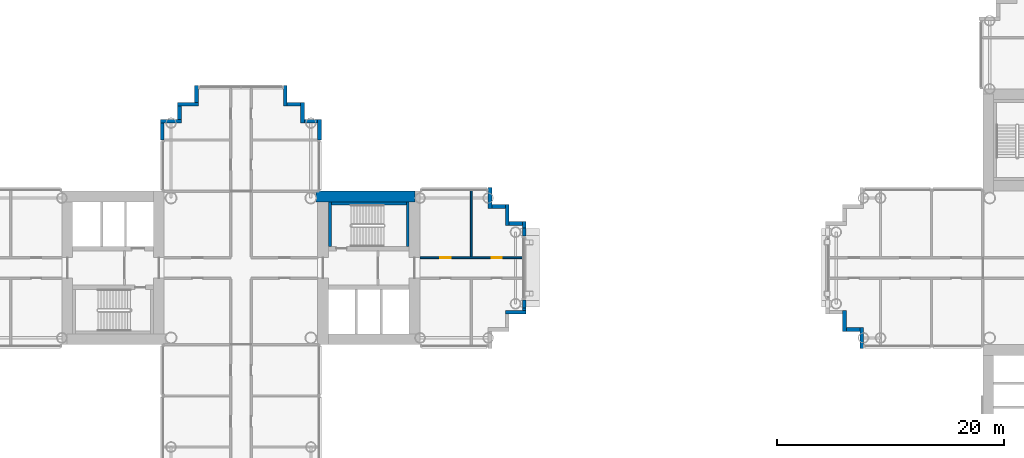
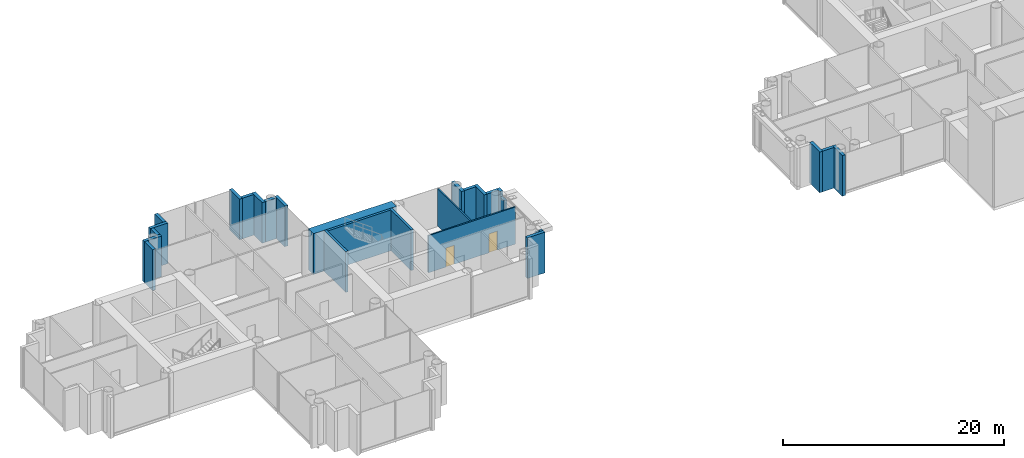
# One storey, part 12 of 20: 28 walls, 2 doors, 2 openings.
"""IFC4 building model written with IfcOpenShell, lengths in metres."""

from ifc_helpers import new_model, si_unit, direction, frame, frame_2d, origin, place, context, subcontext, project, spatial, rectangle, extrude, material, layer, layer_set, type_object, element, fill, save


model = new_model("IFC4")

# Units and contexts
model_context = context("Model", 3, precision=1e-05, world=origin(), true_north=direction((0.0, 1.0)))
body_context = subcontext(model_context, "Body", "Model", "MODEL_VIEW")
ifc_project = project(units=[si_unit("LENGTHUNIT", "METRE"), si_unit("AREAUNIT", "SQUARE_METRE"), si_unit("VOLUMEUNIT", "CUBIC_METRE"), si_unit("PLANEANGLEUNIT", "RADIAN"), si_unit("MASSUNIT", "GRAM", prefix="KILO")], contexts=[model_context])

# Site, building, storey
site_placement = place(None, origin())
site = spatial("IfcSite", under=ifc_project, at=site_placement, CompositionType="ELEMENT")
building_placement = place(site_placement, origin())
building = spatial("IfcBuilding", under=site, at=building_placement, Name="Ipe Terrace Towers", CompositionType="ELEMENT")
storey_placement = place(building_placement, frame((0.0, 0.0, 124.199951171875)))
storey = spatial("IfcBuildingStorey", under=building, at=storey_placement, Name="L34", CompositionType="ELEMENT", Elevation=124.199951171875)

# Walls
ifc_material_1 = material(Name="Concrete C40/50 with buff precast cladding", Category="concrete")
ifc_layer_1 = layer(ifc_material_1, 0.320068359375)
ifc_layer_set_1 = layer_set([ifc_layer_1], Name="BUFF CLADDING WALL 320")
wall_type_1 = type_object("IfcWallType", Name="BUFF CLADDING WALL 320", PredefinedType="STANDARD", material=ifc_layer_set_1)
wall_1_placement = place(storey_placement, frame((-12.75, -3.909912109375, -0.300048828125), z_axis=(0.0, 0.0, 1.0), x_axis=(1.0, 0.0, 0.0)))
element("IfcWall", 1, at=wall_1_placement, inside=storey, type_object=wall_type_1, Name="T1-W-L34-24a wall", PredefinedType="STANDARD", context=body_context, shape_type="SweptSolid", body=[
    extrude(rectangle(XDim=1.820068359375, YDim=0.320068359375, at=frame_2d((0.91015625, 0.0))), origin(), (0.0, 0.0, 1.0), 4.5),
])
wall_2_placement = place(storey_placement, frame((-11.090087890625, -3.75, 0.0), z_axis=(0.0, 0.0, 1.0), x_axis=(0.0, 1.0, 0.0)))
element("IfcWall", 2, at=wall_2_placement, inside=storey, type_object=wall_type_1, Name="T1-W-L34-25a wall", PredefinedType="STANDARD", context=body_context, shape_type="SweptSolid", body=[
    extrude(rectangle(XDim=0.25, YDim=0.320068359375, at=frame_2d((0.125, 0.0))), origin(), (0.0, 0.0, 1.0), 4.199951171875),
])
for number, where, z_axis, x_axis, name in (
    (3, (-11.090087890625, -3.5, 0.0), (0.0, 0.0, 1.0), (0.0, 1.0, 0.0), "T1-W-L34-25b wall"),
    (4, (-11.090087890625, 2.800048828125, 0.0), (0.0, 0.0, 1.0), (0.0, 1.0, 0.0), "T1-W-L34-25e wall"),
):
    element("IfcWall", number, at=place(storey_placement, frame(where, z_axis=z_axis, x_axis=x_axis)), inside=storey, type_object=wall_type_1, Name=name, PredefinedType="STANDARD", context=body_context, shape_type="SweptSolid", body=[
        extrude(rectangle(XDim=0.699951171875, YDim=0.320068359375, at=frame_2d((0.35009765625, 0.0))), origin(), (0.0, 0.0, 1.0), 3.610107421875),
    ])
wall_3_placement = place(storey_placement, frame((-11.090087890625, 3.5, 0.0), z_axis=(0.0, 0.0, 1.0), x_axis=(0.0, 1.0, 0.0)))
element("IfcWall", 5, at=wall_3_placement, inside=storey, type_object=wall_type_1, Name="T1-W-L34-25g wall", PredefinedType="STANDARD", context=body_context, shape_type="SweptSolid", body=[
    extrude(rectangle(XDim=0.570068359375, YDim=0.320068359375, at=frame_2d((0.28515625, 0.0))), origin(), (0.0, 0.0, 1.0), 4.199951171875),
])
wall_4_placement = place(storey_placement, frame((-11.25, 3.909912109375, -0.300048828125), z_axis=(0.0, 0.0, 1.0), x_axis=(-1.0, 0.0, 0.0)))
element("IfcWall", 6, at=wall_4_placement, inside=storey, type_object=wall_type_1, Name="T1-W-L34-26a wall", PredefinedType="STANDARD", context=body_context, shape_type="SweptSolid", body=[
    extrude(rectangle(XDim=1.179931640625, YDim=0.320068359375, at=frame_2d((0.58984375, 0.0))), origin(), (0.0, 0.0, 1.0), 4.5),
])
wall_5_placement = place(storey_placement, frame((-12.590087890625, 3.75, -0.300048828125), z_axis=(0.0, 0.0, 1.0), x_axis=(0.0, 1.0, 0.0)))
element("IfcWall", 7, at=wall_5_placement, inside=storey, type_object=wall_type_1, Name="T1-W-L34-27a wall", PredefinedType="STANDARD", context=body_context, shape_type="SweptSolid", body=[
    extrude(rectangle(XDim=1.820068359375, YDim=0.320068359375, at=frame_2d((0.91015625, 0.0))), origin(), (0.0, 0.0, 1.0), 4.5),
])
wall_6_placement = place(storey_placement, frame((-12.75, 5.409912109375, -0.300048828125), z_axis=(0.0, 0.0, 1.0), x_axis=(-1.0, 0.0, 0.0)))
element("IfcWall", 8, at=wall_6_placement, inside=storey, type_object=wall_type_1, Name="T1-W-L34-28a wall", PredefinedType="STANDARD", context=body_context, shape_type="SweptSolid", body=[
    extrude(rectangle(XDim=1.179931640625, YDim=0.320068359375, at=frame_2d((0.58984375, 0.0))), origin(), (0.0, 0.0, 1.0), 4.5),
])
for number, where, z_axis, x_axis, name in (
    (9, (-14.090087890625, 5.25, -0.300048828125), (0.0, 0.0, 1.0), (0.0, 1.0, 0.0), "T1-W-L34-29a wall"),
    (10, (-29.090087890625, 11.25, -0.300048828125), (0.0, 0.0, 1.0), (0.0, 1.0, 0.0), "T1-W-L34-33a wall"),
):
    element("IfcWall", number, at=place(storey_placement, frame(where, z_axis=z_axis, x_axis=x_axis)), inside=storey, type_object=wall_type_1, Name=name, PredefinedType="STANDARD", context=body_context, shape_type="SweptSolid", body=[
        extrude(rectangle(XDim=1.820068359375, YDim=0.320068359375, at=frame_2d((0.91015625, 0.0))), origin(), (0.0, 0.0, 1.0), 4.5),
    ])
wall_7_placement = place(storey_placement, frame((-29.25, 12.909912109375, -0.300048828125), z_axis=(0.0, 0.0, 1.0), x_axis=(-1.0, 0.0, 0.0)))
element("IfcWall", 11, at=wall_7_placement, inside=storey, type_object=wall_type_1, Name="T1-W-L34-34a wall", PredefinedType="STANDARD", context=body_context, shape_type="SweptSolid", body=[
    extrude(rectangle(XDim=1.179931640625, YDim=0.320068359375, at=frame_2d((0.58984375, 0.0))), origin(), (0.0, 0.0, 1.0), 4.5),
])
wall_8_placement = place(storey_placement, frame((-30.590087890625, 12.75, -0.300048828125), z_axis=(0.0, 0.0, 1.0), x_axis=(0.0, 1.0, 0.0)))
element("IfcWall", 12, at=wall_8_placement, inside=storey, type_object=wall_type_1, Name="T1-W-L34-35a wall", PredefinedType="STANDARD", context=body_context, shape_type="SweptSolid", body=[
    extrude(rectangle(XDim=1.820068359375, YDim=0.320068359375, at=frame_2d((0.91015625, 0.0))), origin(), (0.0, 0.0, 1.0), 4.5),
])
wall_9_placement = place(storey_placement, frame((-30.75, 14.409912109375, -0.300048828125), z_axis=(0.0, 0.0, 1.0), x_axis=(-1.0, 0.0, 0.0)))
element("IfcWall", 13, at=wall_9_placement, inside=storey, type_object=wall_type_1, Name="T1-W-L34-36a wall", PredefinedType="STANDARD", context=body_context, shape_type="SweptSolid", body=[
    extrude(rectangle(XDim=1.179931640625, YDim=0.320068359375, at=frame_2d((0.58984375, 0.0))), origin(), (0.0, 0.0, 1.0), 4.5),
])
wall_10_placement = place(storey_placement, frame((-32.090087890625, 14.25, -0.300048828125), z_axis=(0.0, 0.0, 1.0), x_axis=(0.0, 1.0, 0.0)))
element("IfcWall", 14, at=wall_10_placement, inside=storey, type_object=wall_type_1, Name="T1-W-L34-37a wall", PredefinedType="STANDARD", context=body_context, shape_type="SweptSolid", body=[
    extrude(rectangle(XDim=1.820068359375, YDim=0.320068359375, at=frame_2d((0.91015625, 0.0))), origin(), (0.0, 0.0, 1.0), 4.5),
])
wall_11_placement = place(storey_placement, frame((-39.909912109375, 16.070068359375, -0.300048828125), z_axis=(0.0, 0.0, 1.0), x_axis=(0.0, -1.0, 0.0)))
element("IfcWall", 15, at=wall_11_placement, inside=storey, type_object=wall_type_1, Name="T1-W-L34-39a wall", PredefinedType="STANDARD", context=body_context, shape_type="SweptSolid", body=[
    extrude(rectangle(XDim=1.5, YDim=0.320068359375, at=frame_2d((0.75, 0.0))), origin(), (0.0, 0.0, 1.0), 4.5),
])
wall_12_placement = place(storey_placement, frame((-39.75, 14.409912109375, -0.300048828125), z_axis=(0.0, 0.0, 1.0), x_axis=(-1.0, 0.0, 0.0)))
element("IfcWall", 16, at=wall_12_placement, inside=storey, type_object=wall_type_1, Name="T1-W-L34-40a wall", PredefinedType="STANDARD", context=body_context, shape_type="SweptSolid", body=[
    extrude(rectangle(XDim=1.820068359375, YDim=0.320068359375, at=frame_2d((0.91015625, 0.0))), origin(), (0.0, 0.0, 1.0), 4.5),
])
wall_13_placement = place(storey_placement, frame((-41.409912109375, 14.25, -0.300048828125), z_axis=(0.0, 0.0, 1.0), x_axis=(0.0, -1.0, 0.0)))
element("IfcWall", 17, at=wall_13_placement, inside=storey, type_object=wall_type_1, Name="T1-W-L34-41a wall", PredefinedType="STANDARD", context=body_context, shape_type="SweptSolid", body=[
    extrude(rectangle(XDim=1.179931640625, YDim=0.320068359375, at=frame_2d((0.58984375, 0.0))), origin(), (0.0, 0.0, 1.0), 4.5),
])
wall_14_placement = place(storey_placement, frame((-41.25, 12.909912109375, -0.300048828125), z_axis=(0.0, 0.0, 1.0), x_axis=(-1.0, 0.0, 0.0)))
element("IfcWall", 18, at=wall_14_placement, inside=storey, type_object=wall_type_1, Name="T1-W-L34-42a wall", PredefinedType="STANDARD", context=body_context, shape_type="SweptSolid", body=[
    extrude(rectangle(XDim=1.820068359375, YDim=0.320068359375, at=frame_2d((0.91015625, 0.0))), origin(), (0.0, 0.0, 1.0), 4.5),
])
wall_15_placement = place(storey_placement, frame((-42.909912109375, 12.75, -0.300048828125), z_axis=(0.0, 0.0, 1.0), x_axis=(0.0, -1.0, 0.0)))
element("IfcWall", 19, at=wall_15_placement, inside=storey, type_object=wall_type_1, Name="T1-W-L34-43a wall", PredefinedType="STANDARD", context=body_context, shape_type="SweptSolid", body=[
    extrude(rectangle(XDim=1.5, YDim=0.320068359375, at=frame_2d((0.75, 0.0))), origin(), (0.0, 0.0, 1.0), 4.5),
])
wall_16_placement = place(storey_placement, frame((17.090087890625, -3.75, -0.300048828125), z_axis=(0.0, 0.0, 1.0), x_axis=(0.0, -1.0, 0.0)))
element("IfcWall", 20, at=wall_16_placement, inside=storey, type_object=wall_type_1, Name="T2-W-L34-36a wall", PredefinedType="STANDARD", context=body_context, shape_type="SweptSolid", body=[
    extrude(rectangle(XDim=1.820068359375, YDim=0.320068359375, at=frame_2d((0.91015625, 0.0))), origin(), (0.0, 0.0, 1.0), 4.5),
])
wall_17_placement = place(storey_placement, frame((17.25, -5.409912109375, -0.300048828125), z_axis=(0.0, 0.0, 1.0), x_axis=(1.0, 0.0, 0.0)))
element("IfcWall", 21, at=wall_17_placement, inside=storey, type_object=wall_type_1, Name="T2-W-L34-37a wall", PredefinedType="STANDARD", context=body_context, shape_type="SweptSolid", body=[
    extrude(rectangle(XDim=1.179931640625, YDim=0.320068359375, at=frame_2d((0.58984375, 0.0))), origin(), (0.0, 0.0, 1.0), 4.5),
])
wall_18_placement = place(storey_placement, frame((18.590087890625, -5.25, -0.300048828125), z_axis=(0.0, 0.0, 1.0), x_axis=(0.0, -1.0, 0.0)))
element("IfcWall", 22, at=wall_18_placement, inside=storey, type_object=wall_type_1, Name="T2-W-L34-38a wall", PredefinedType="STANDARD", context=body_context, shape_type="SweptSolid", body=[
    extrude(rectangle(XDim=1.820068359375, YDim=0.320068359375, at=frame_2d((0.91015625, 0.0))), origin(), (0.0, 0.0, 1.0), 4.5),
])

# Wall, openings, doors
ifc_material_2 = material(Name="Gypsum board partition", Category="plasterboard")
ifc_layer_2 = layer(ifc_material_2, 0.14990234375)
ifc_layer_set_2 = layer_set([ifc_layer_2], Name="Gypsum board partition 150 mm")
wall_type_2 = type_object("IfcWallType", Name="Gypsum board partition 150 mm", PredefinedType="PARTITIONING", material=ifc_layer_set_2)
wall_19_placement = place(storey_placement, frame((-20.25, 0.89990234375, 0.0), z_axis=(0.0, 0.0, 1.0), x_axis=(1.0, 0.0, 0.0)))
wall_19 = element("IfcWall", 23, at=wall_19_placement, inside=storey, type_object=wall_type_2, Name="Gypsum board partition T1 L34 sp-Lp-wp", PredefinedType="PARTITIONING", context=body_context, shape_type="SweptSolid", body=[
    extrude(rectangle(XDim=9.10009765625, YDim=0.14990234375, at=frame_2d((4.550048828125, 0.0))), origin(), (0.0, 0.0, 1.0), 4.10009765625),
])
opening_1_placement = place(wall_19_placement, frame((1.800048828125, 0.0, 0.0)))
opening_1 = element("IfcOpeningElement", 24, at=opening_1_placement, cuts=wall_19, Name="Opening T1-SP-PLp1-FD60", PredefinedType="OPENING", context=body_context, shape_type="SweptSolid", body=[
    extrude(rectangle(XDim=0.89990234375, YDim=2.10009765625, at=frame_2d((0.449951171875, 1.050048828125))), frame((0.0, 0.0849609375, 0.0), z_axis=(0.0, -1.0, 0.0), x_axis=(1.0, 0.0, 0.0)), (0.0, 0.0, 1.0), 0.169921875),
])
opening_2_placement = place(wall_19_placement, frame((6.300048828125, 0.0, 0.0)))
opening_2 = element("IfcOpeningElement", 25, at=opening_2_placement, cuts=wall_19, Name="Opening T1-SP-PLp2-FD60", PredefinedType="OPENING", context=body_context, shape_type="SweptSolid", body=[
    extrude(rectangle(XDim=0.89990234375, YDim=2.10009765625, at=frame_2d((0.449951171875, 1.050048828125))), frame((0.0, 0.0849609375, 0.0), z_axis=(0.0, -1.0, 0.0), x_axis=(1.0, 0.0, 0.0)), (0.0, 0.0, 1.0), 0.169921875),
])
ifc_material_3 = material(Name="Fire-rated timber door leaf", Category="wood")
door_type = type_object("IfcDoorType", Name="Service door 900 x 2100 FD60", OperationType="NOTDEFINED", PredefinedType="DOOR", material=ifc_material_3)
door_1_placement = place(opening_1_placement, origin())
door_1 = element("IfcDoor", 26, at=door_1_placement, inside=storey, type_object=door_type, Name="Service door T1-SP-PLp1-FD60", OperationType="SINGLE_SWING_RIGHT", OverallHeight=2.10009765625, OverallWidth=0.89990234375, PredefinedType="DOOR", context=body_context, shape_type="SweptSolid", body=[
    extrude(rectangle(XDim=0.89990234375, YDim=2.10009765625, at=frame_2d((0.449951171875, 1.050048828125))), frame((0.0, 0.02490234375, 0.0), z_axis=(0.0, -1.0, 0.0), x_axis=(1.0, 0.0, 0.0)), (0.0, 0.0, 1.0), 0.050048828125),
])
fill(opening_1, door_1)
door_2_placement = place(opening_2_placement, origin())
door_2 = element("IfcDoor", 27, at=door_2_placement, inside=storey, type_object=door_type, Name="Service door T1-SP-PLp2-FD60", OperationType="SINGLE_SWING_LEFT", OverallHeight=2.10009765625, OverallWidth=0.89990234375, PredefinedType="DOOR", context=body_context, shape_type="SweptSolid", body=[
    extrude(rectangle(XDim=0.89990234375, YDim=2.10009765625, at=frame_2d((0.449951171875, 1.050048828125))), frame((0.0, 0.02490234375, 0.0), z_axis=(0.0, -1.0, 0.0), x_axis=(1.0, 0.0, 0.0)), (0.0, 0.0, 1.0), 0.050048828125),
])
fill(opening_2, door_2)

# Walls
wall_20_placement = place(storey_placement, frame((-15.75, 0.97509765625, 0.0), z_axis=(0.0, 0.0, 1.0), x_axis=(0.0, 1.0, 0.0)))
element("IfcWall", 28, at=wall_20_placement, inside=storey, type_object=wall_type_2, Name="Gypsum board partition T1 L34 sp-Lp-dp1", PredefinedType="PARTITIONING", context=body_context, shape_type="SweptSolid", body=[
    extrude(rectangle(XDim=5.875, YDim=0.14990234375, at=frame_2d((2.9375, 0.0))), origin(), (0.0, 0.0, 1.0), 4.10009765625),
])
ifc_material_4 = material(Name="Concrete C50/60", Category="concrete")
ifc_layer_3 = layer(ifc_material_4, 0.25)
ifc_layer_set_3 = layer_set([ifc_layer_3], Name="RW250 CORE INFILL WALL 250 C50-60")
wall_type_3 = type_object("IfcWallType", Name="RW250 CORE INFILL WALL 250 C50-60", PredefinedType="SHEAR", material=ifc_layer_set_3)
wall_21_placement = place(storey_placement, frame((-21.324951171875, 1.89990234375, 0.0), z_axis=(0.0, 0.0, 1.0), x_axis=(0.0, 1.0, 0.0)))
element("IfcWall", 29, at=wall_21_placement, inside=storey, type_object=wall_type_3, Name="Core infill wall T1-C1-far", PredefinedType="SHEAR", context=body_context, shape_type="SweptSolid", body=[
    extrude(rectangle(XDim=3.900146484375, YDim=0.25, at=frame_2d((1.9501953125, 0.0))), origin(), (0.0, 0.0, 1.0), 4.5),
])
wall_22_placement = place(storey_placement, frame((-28.050048828125, 5.675048828125, 0.0), z_axis=(0.0, 0.0, 1.0), x_axis=(1.0, 0.0, 0.0)))
element("IfcWall", 30, at=wall_22_placement, inside=storey, type_object=wall_type_3, Name="Core infill wall T1-C1-back", PredefinedType="SHEAR", context=body_context, shape_type="SweptSolid", body=[
    extrude(rectangle(XDim=6.60009765625, YDim=0.25, at=frame_2d((3.300048828125, 0.0))), origin(), (0.0, 0.0, 1.0), 4.5),
])
wall_23_placement = place(storey_placement, frame((-28.175048828125, 1.89990234375, 0.0), z_axis=(0.0, 0.0, 1.0), x_axis=(0.0, 1.0, 0.0)))
element("IfcWall", 31, at=wall_23_placement, inside=storey, type_object=wall_type_3, Name="Core infill wall T1-C1-near", PredefinedType="SHEAR", context=body_context, shape_type="SweptSolid", body=[
    extrude(rectangle(XDim=3.900146484375, YDim=0.25, at=frame_2d((1.9501953125, 0.0))), origin(), (0.0, 0.0, 1.0), 4.5),
])
ifc_material_5 = material(Name="Concrete C50/60", Category="concrete")
ifc_layer_4 = layer(ifc_material_5, 0.949951171875)
ifc_layer_set_4 = layer_set([ifc_layer_4], Name="RW950 CORE WALL 950 C50-60")
wall_type_4 = type_object("IfcWallType", Name="RW950 CORE WALL 950 C50-60", PredefinedType="SHEAR", material=ifc_layer_set_4)
wall_24_placement = place(storey_placement, frame((-20.701904296875, 6.27490234375, 0.0), z_axis=(0.0, 0.0, 1.0), x_axis=(-1.0, 0.0, 0.0)))
element("IfcWall", 32, at=wall_24_placement, inside=storey, type_object=wall_type_4, Name="Core wall T1-C1-Z2-W03", PredefinedType="SHEAR", context=body_context, shape_type="SweptSolid", body=[
    extrude(rectangle(XDim=8.696044921875, YDim=0.949951171875, at=frame_2d((4.34814453125, 0.0))), origin(), (0.0, 0.0, 1.0), 4.5),
])

save(model, "model.ifc")
